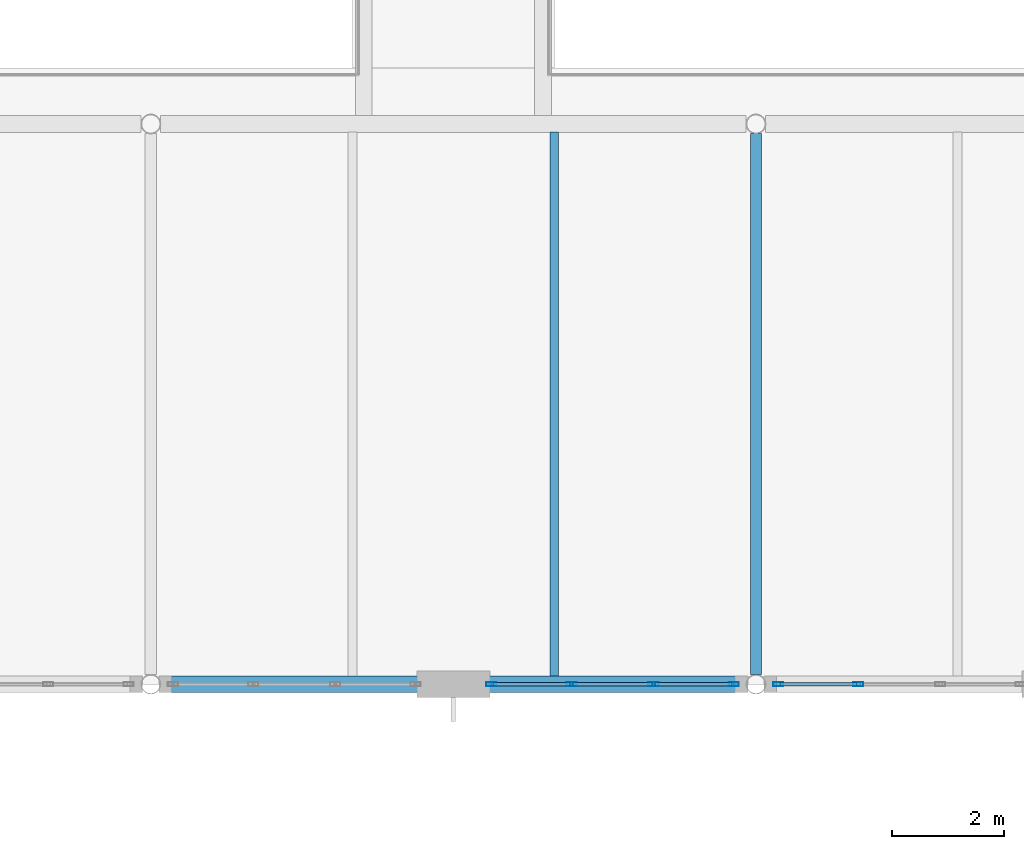
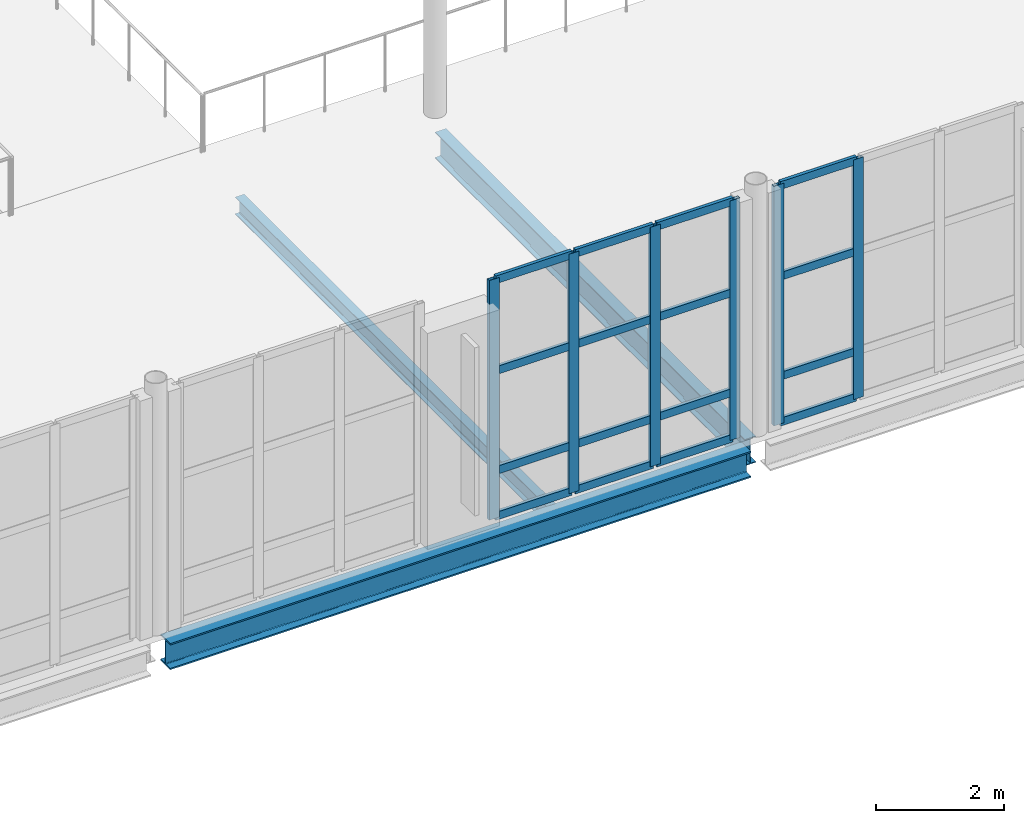
# One storey, part 30 of 100: 22 members, 3 beams, 2 elements without a shape of their own.
"""IFC4 building model written with IfcOpenShell, lengths in metres."""

from ifc_helpers import new_model, si_unit, direction, frame, origin, origin_2d, place, context, subcontext, project, spatial, hollow_rectangle, i_section, extrude, material, layer, layer_set, material_profile, profile_set, type_object, element, aggregate, save


model = new_model("IFC4")

# Units and contexts
model_context = context("Model", 3, precision=1e-05, world=origin(), true_north=direction((0.0, 1.0)))
body_context = subcontext(model_context, "Body", "Model", "MODEL_VIEW")
ifc_project = project(units=[si_unit("LENGTHUNIT", "METRE"), si_unit("AREAUNIT", "SQUARE_METRE"), si_unit("VOLUMEUNIT", "CUBIC_METRE"), si_unit("PLANEANGLEUNIT", "RADIAN"), si_unit("MASSUNIT", "GRAM", prefix="KILO")], contexts=[model_context])

# Site, building, storey
site_placement = place(None, origin())
site = spatial("IfcSite", under=ifc_project, at=site_placement, CompositionType="ELEMENT")
building_placement = place(site_placement, origin())
building = spatial("IfcBuilding", under=site, at=building_placement, Name="Tasgan Crest Museum", CompositionType="ELEMENT")
storey_placement = place(building_placement, frame((0.0, 0.0, 9.60009765625)))
storey = spatial("IfcBuildingStorey", under=building, at=storey_placement, Name="L02", CompositionType="ELEMENT", Elevation=9.60009765625)

# Beams
ifc_material_1 = material(Name="Steel S355J2", Category="steel")
ifc_material_profile_1 = material_profile(ifc_material_1, i_section(OverallWidth=0.300048828125, OverallDepth=0.5, WebThickness=0.014404296875, FlangeThickness=0.028076171875, FilletRadius=0.027099609375, at=origin_2d()), Name="HEB 500")
ifc_profile_set_1 = profile_set([ifc_material_profile_1], Name="Steel S355J2")
beam_type_1 = type_object("IfcBeamType", Name="BM-G-HEB500", PredefinedType="BEAM", material=ifc_profile_set_1)
beam_1_placement = place(storey_placement, frame((75.773681640625, 40.0, -0.489990234375), z_axis=(1.0, 0.0, 0.0), x_axis=(0.0, 1.0, 0.0)))
element("IfcBeam", 1, at=beam_1_placement, inside=storey, type_object=beam_type_1, Name="Girder L02 E 75.6-86.4", PredefinedType="BEAM", context=body_context, shape_type="SweptSolid", body=[
    extrude(i_section(OverallWidth=0.300048828125, OverallDepth=0.5, WebThickness=0.014404296875, FlangeThickness=0.028076171875, FilletRadius=0.027099609375, at=origin_2d()), origin(), (0.0, 0.0, 1.0), 10.45263671875),
])
ifc_material_2 = material(Name="Steel S355J2", Category="steel")
ifc_material_profile_2 = material_profile(ifc_material_2, i_section(OverallWidth=0.199951171875, OverallDepth=0.5, WebThickness=0.01025390625, FlangeThickness=0.01611328125, FilletRadius=0.02099609375, at=origin_2d()), Name="IPE 500")
ifc_profile_set_2 = profile_set([ifc_material_profile_2], Name="Steel S355J2")
beam_type_2 = type_object("IfcBeamType", Name="BM-G-IPE500", PredefinedType="BEAM", material=ifc_profile_set_2)
beam_2_placement = place(storey_placement, frame((86.39990234375, 40.1728515625, -0.489990234375), z_axis=(0.0, 1.0, 0.0), x_axis=(-1.0, 0.0, 0.0)))
element("IfcBeam", 2, at=beam_2_placement, inside=storey, type_object=beam_type_2, Name="Beam L02 9 40.0-50.0", PredefinedType="BEAM", context=body_context, shape_type="SweptSolid", body=[
    extrude(i_section(OverallWidth=0.199951171875, OverallDepth=0.5, WebThickness=0.01025390625, FlangeThickness=0.01611328125, FilletRadius=0.02099609375, at=origin_2d()), origin(), (0.0, 0.0, 1.0), 9.654296875),
])
ifc_material_3 = material(Name="Steel S355J2", Category="steel")
ifc_material_profile_3 = material_profile(ifc_material_3, i_section(OverallWidth=0.159912109375, OverallDepth=0.330078125, WebThickness=0.007568359375, FlangeThickness=0.011474609375, FilletRadius=0.01806640625, at=origin_2d()), Name="IPE 330")
ifc_profile_set_3 = profile_set([ifc_material_profile_3], Name="Steel S355J2")
beam_type_3 = type_object("IfcBeamType", Name="BM-J-IPE330", PredefinedType="JOIST", material=ifc_profile_set_3)
beam_3_placement = place(storey_placement, frame((82.800048828125, 40.14501953125, -0.405029296875), z_axis=(0.0, 1.0, 0.0), x_axis=(-1.0, 0.0, 0.0)))
element("IfcBeam", 3, at=beam_3_placement, inside=storey, type_object=beam_type_3, Name="Secondary joist L02 X=82.8 Y=40.0-50.0", PredefinedType="JOIST", context=body_context, shape_type="SweptSolid", body=[
    extrude(i_section(OverallWidth=0.159912109375, OverallDepth=0.330078125, WebThickness=0.007568359375, FlangeThickness=0.011474609375, FilletRadius=0.01806640625, at=origin_2d()), origin(), (0.0, 0.0, 1.0), 9.7099609375),
])

# Curtain wall, members
ifc_material_4 = material(Name="Triple-Glazed Aluminium Curtain Wall", Category="aluminium")
ifc_layer = layer(ifc_material_4, 0.179931640625, Name="CW-DRUM-X-48")
ifc_layer_set = layer_set([ifc_layer], Name="Triple-Glazed Aluminium Curtain Wall")
curtain_wall_type = type_object("IfcCurtainWallType", Name="CW-DRUM-X-48", PredefinedType="NOTDEFINED", material=ifc_layer_set)
curtain_wall_1_placement = place(storey_placement, origin())
curtain_wall_1 = element("IfcCurtainWall", 4, at=curtain_wall_1_placement, inside=storey, type_object=curtain_wall_type, Name="Curtain wall L02 106", PredefinedType="NOTDEFINED")
ifc_material_5 = material(Name="Anodised Aluminium", Category="aluminium")
ifc_material_profile_4 = material_profile(ifc_material_5, hollow_rectangle(XDim=0.06494140625, YDim=0.179931640625, WallThickness=0.0048828125, at=origin_2d()), Name="ALU MULLION 180x65x5")
ifc_profile_set_4 = profile_set([ifc_material_profile_4], Name="Anodised Aluminium")
member_type_1 = type_object("IfcMemberType", Name="CW-MULLION-180", PredefinedType="MULLION", material=ifc_profile_set_4)
member_1_placement = place(storey_placement, frame((81.675048828125, 40.0, 0.0), z_axis=(0.0, 0.0, 1.0), x_axis=(0.0, 1.0, 0.0)))
member_1 = element("IfcMember", 5, at=member_1_placement, type_object=member_type_1, Name="CW03 mullion 1", PredefinedType="MULLION", context=body_context, shape_type="SweptSolid", body=[
    extrude(hollow_rectangle(XDim=0.06494140625, YDim=0.179931640625, WallThickness=0.0048828125, at=origin_2d()), origin(), (0.0, 0.0, 1.0), 4.559814453125),
])
member_2_placement = place(storey_placement, frame((83.1083984375, 40.0, 0.0), z_axis=(0.0, 0.0, 1.0), x_axis=(0.0, 1.0, 0.0)))
member_2 = element("IfcMember", 6, at=member_2_placement, type_object=member_type_1, Name="CW03 mullion 2", PredefinedType="MULLION", context=body_context, shape_type="SweptSolid", body=[
    extrude(hollow_rectangle(XDim=0.06494140625, YDim=0.179931640625, WallThickness=0.0048828125, at=origin_2d()), origin(), (0.0, 0.0, 1.0), 4.559814453125),
])
member_3_placement = place(storey_placement, frame((84.57177734375, 40.0, 0.0), z_axis=(0.0, 0.0, 1.0), x_axis=(0.0, 1.0, 0.0)))
member_3 = element("IfcMember", 7, at=member_3_placement, type_object=member_type_1, Name="CW03 mullion 3", PredefinedType="MULLION", context=body_context, shape_type="SweptSolid", body=[
    extrude(hollow_rectangle(XDim=0.06494140625, YDim=0.179931640625, WallThickness=0.0048828125, at=origin_2d()), origin(), (0.0, 0.0, 1.0), 4.559814453125),
])
member_4_placement = place(storey_placement, frame((86.0048828125, 40.0, 0.0), z_axis=(0.0, 0.0, 1.0), x_axis=(0.0, 1.0, 0.0)))
member_4 = element("IfcMember", 8, at=member_4_placement, type_object=member_type_1, Name="CW03 mullion 4", PredefinedType="MULLION", context=body_context, shape_type="SweptSolid", body=[
    extrude(hollow_rectangle(XDim=0.06494140625, YDim=0.179931640625, WallThickness=0.0048828125, at=origin_2d()), origin(), (0.0, 0.0, 1.0), 4.559814453125),
])

curtain_wall_2_placement = place(storey_placement, origin())
curtain_wall_2 = element("IfcCurtainWall", 9, at=curtain_wall_2_placement, inside=storey, type_object=curtain_wall_type, Name="Curtain wall L02 107", PredefinedType="NOTDEFINED")
member_5_placement = place(storey_placement, frame((86.794921875, 40.0, 0.0), z_axis=(0.0, 0.0, 1.0), x_axis=(0.0, 1.0, 0.0)))
member_5 = element("IfcMember", 10, at=member_5_placement, type_object=member_type_1, Name="CW03 mullion 1", PredefinedType="MULLION", context=body_context, shape_type="SweptSolid", body=[
    extrude(hollow_rectangle(XDim=0.06494140625, YDim=0.179931640625, WallThickness=0.0048828125, at=origin_2d()), origin(), (0.0, 0.0, 1.0), 4.559814453125),
])
member_6_placement = place(storey_placement, frame((88.228271484375, 40.0, 0.0), z_axis=(0.0, 0.0, 1.0), x_axis=(0.0, 1.0, 0.0)))
member_6 = element("IfcMember", 11, at=member_6_placement, type_object=member_type_1, Name="CW03 mullion 2", PredefinedType="MULLION", context=body_context, shape_type="SweptSolid", body=[
    extrude(hollow_rectangle(XDim=0.06494140625, YDim=0.179931640625, WallThickness=0.0048828125, at=origin_2d()), origin(), (0.0, 0.0, 1.0), 4.559814453125),
])

# Member
ifc_material_6 = material(Name="Anodised Aluminium", Category="aluminium")
ifc_material_profile_5 = material_profile(ifc_material_6, hollow_rectangle(XDim=0.06005859375, YDim=0.14990234375, WallThickness=0.0048828125, at=origin_2d()), Name="ALU TRANSOM 150x60x5")
ifc_profile_set_5 = profile_set([ifc_material_profile_5], Name="Anodised Aluminium")
member_type_2 = type_object("IfcMemberType", Name="CW-TRANSOM-150", PredefinedType="USERDEFINED", material=ifc_profile_set_5)
member_7_placement = place(storey_placement, frame((81.705078125, 40.0, 0.02978515625), z_axis=(1.0, 0.0, 0.0), x_axis=(0.0, 1.0, 0.0)))
member_7 = element("IfcMember", 12, at=member_7_placement, type_object=member_type_2, Name="CW03 transom 1.1", ObjectType="TRANSOM", PredefinedType="USERDEFINED", context=body_context, shape_type="SweptSolid", body=[
    extrude(hollow_rectangle(XDim=0.06005859375, YDim=0.14990234375, WallThickness=0.0048828125, at=origin_2d()), origin(), (0.0, 0.0, 1.0), 1.373291015625),
])

member_8_placement = place(storey_placement, frame((81.705078125, 40.0, 0.89990234375), z_axis=(1.0, 0.0, 0.0), x_axis=(0.0, 1.0, 0.0)))
member_8 = element("IfcMember", 13, at=member_8_placement, type_object=member_type_2, Name="CW03 transom 1.2", ObjectType="TRANSOM", PredefinedType="USERDEFINED", context=body_context, shape_type="SweptSolid", body=[
    extrude(hollow_rectangle(XDim=0.06005859375, YDim=0.14990234375, WallThickness=0.0048828125, at=origin_2d()), origin(), (0.0, 0.0, 1.0), 1.373291015625),
])

member_9_placement = place(storey_placement, frame((81.705078125, 40.0, 2.7998046875), z_axis=(1.0, 0.0, 0.0), x_axis=(0.0, 1.0, 0.0)))
member_9 = element("IfcMember", 14, at=member_9_placement, type_object=member_type_2, Name="CW03 transom 1.3", ObjectType="TRANSOM", PredefinedType="USERDEFINED", context=body_context, shape_type="SweptSolid", body=[
    extrude(hollow_rectangle(XDim=0.06005859375, YDim=0.14990234375, WallThickness=0.0048828125, at=origin_2d()), origin(), (0.0, 0.0, 1.0), 1.373291015625),
])

member_10_placement = place(storey_placement, frame((81.705078125, 40.0, 4.52978515625), z_axis=(1.0, 0.0, 0.0), x_axis=(0.0, 1.0, 0.0)))
member_10 = element("IfcMember", 15, at=member_10_placement, type_object=member_type_2, Name="CW03 transom 1.4", ObjectType="TRANSOM", PredefinedType="USERDEFINED", context=body_context, shape_type="SweptSolid", body=[
    extrude(hollow_rectangle(XDim=0.06005859375, YDim=0.14990234375, WallThickness=0.0048828125, at=origin_2d()), origin(), (0.0, 0.0, 1.0), 1.373291015625),
])

member_11_placement = place(storey_placement, frame((83.138427734375, 40.0, 0.02978515625), z_axis=(1.0, 0.0, 0.0), x_axis=(0.0, 1.0, 0.0)))
member_11 = element("IfcMember", 16, at=member_11_placement, type_object=member_type_2, Name="CW03 transom 2.1", ObjectType="TRANSOM", PredefinedType="USERDEFINED", context=body_context, shape_type="SweptSolid", body=[
    extrude(hollow_rectangle(XDim=0.06005859375, YDim=0.14990234375, WallThickness=0.0048828125, at=origin_2d()), origin(), (0.0, 0.0, 1.0), 1.4033203125),
])

member_12_placement = place(storey_placement, frame((83.138427734375, 40.0, 0.89990234375), z_axis=(1.0, 0.0, 0.0), x_axis=(0.0, 1.0, 0.0)))
member_12 = element("IfcMember", 17, at=member_12_placement, type_object=member_type_2, Name="CW03 transom 2.2", ObjectType="TRANSOM", PredefinedType="USERDEFINED", context=body_context, shape_type="SweptSolid", body=[
    extrude(hollow_rectangle(XDim=0.06005859375, YDim=0.14990234375, WallThickness=0.0048828125, at=origin_2d()), origin(), (0.0, 0.0, 1.0), 1.4033203125),
])

member_13_placement = place(storey_placement, frame((83.138427734375, 40.0, 2.7998046875), z_axis=(1.0, 0.0, 0.0), x_axis=(0.0, 1.0, 0.0)))
member_13 = element("IfcMember", 18, at=member_13_placement, type_object=member_type_2, Name="CW03 transom 2.3", ObjectType="TRANSOM", PredefinedType="USERDEFINED", context=body_context, shape_type="SweptSolid", body=[
    extrude(hollow_rectangle(XDim=0.06005859375, YDim=0.14990234375, WallThickness=0.0048828125, at=origin_2d()), origin(), (0.0, 0.0, 1.0), 1.4033203125),
])

member_14_placement = place(storey_placement, frame((83.138427734375, 40.0, 4.52978515625), z_axis=(1.0, 0.0, 0.0), x_axis=(0.0, 1.0, 0.0)))
member_14 = element("IfcMember", 19, at=member_14_placement, type_object=member_type_2, Name="CW03 transom 2.4", ObjectType="TRANSOM", PredefinedType="USERDEFINED", context=body_context, shape_type="SweptSolid", body=[
    extrude(hollow_rectangle(XDim=0.06005859375, YDim=0.14990234375, WallThickness=0.0048828125, at=origin_2d()), origin(), (0.0, 0.0, 1.0), 1.4033203125),
])

member_15_placement = place(storey_placement, frame((84.6015625, 40.0, 0.02978515625), z_axis=(1.0, 0.0, 0.0), x_axis=(0.0, 1.0, 0.0)))
member_15 = element("IfcMember", 20, at=member_15_placement, type_object=member_type_2, Name="CW03 transom 3.1", ObjectType="TRANSOM", PredefinedType="USERDEFINED", context=body_context, shape_type="SweptSolid", body=[
    extrude(hollow_rectangle(XDim=0.06005859375, YDim=0.14990234375, WallThickness=0.0048828125, at=origin_2d()), origin(), (0.0, 0.0, 1.0), 1.37353515625),
])

member_16_placement = place(storey_placement, frame((84.6015625, 40.0, 0.89990234375), z_axis=(1.0, 0.0, 0.0), x_axis=(0.0, 1.0, 0.0)))
member_16 = element("IfcMember", 21, at=member_16_placement, type_object=member_type_2, Name="CW03 transom 3.2", ObjectType="TRANSOM", PredefinedType="USERDEFINED", context=body_context, shape_type="SweptSolid", body=[
    extrude(hollow_rectangle(XDim=0.06005859375, YDim=0.14990234375, WallThickness=0.0048828125, at=origin_2d()), origin(), (0.0, 0.0, 1.0), 1.37353515625),
])

member_17_placement = place(storey_placement, frame((84.6015625, 40.0, 2.7998046875), z_axis=(1.0, 0.0, 0.0), x_axis=(0.0, 1.0, 0.0)))
member_17 = element("IfcMember", 22, at=member_17_placement, type_object=member_type_2, Name="CW03 transom 3.3", ObjectType="TRANSOM", PredefinedType="USERDEFINED", context=body_context, shape_type="SweptSolid", body=[
    extrude(hollow_rectangle(XDim=0.06005859375, YDim=0.14990234375, WallThickness=0.0048828125, at=origin_2d()), origin(), (0.0, 0.0, 1.0), 1.37353515625),
])

member_18_placement = place(storey_placement, frame((84.6015625, 40.0, 4.52978515625), z_axis=(1.0, 0.0, 0.0), x_axis=(0.0, 1.0, 0.0)))
member_18 = element("IfcMember", 23, at=member_18_placement, type_object=member_type_2, Name="CW03 transom 3.4", ObjectType="TRANSOM", PredefinedType="USERDEFINED", context=body_context, shape_type="SweptSolid", body=[
    extrude(hollow_rectangle(XDim=0.06005859375, YDim=0.14990234375, WallThickness=0.0048828125, at=origin_2d()), origin(), (0.0, 0.0, 1.0), 1.37353515625),
])

aggregate(curtain_wall_1, [member_1, member_2, member_3, member_4, member_7, member_8, member_9, member_10, member_11, member_12, member_13, member_14, member_15, member_16, member_17, member_18])

member_19_placement = place(storey_placement, frame((86.824951171875, 40.0, 0.02978515625), z_axis=(1.0, 0.0, 0.0), x_axis=(0.0, 1.0, 0.0)))
member_19 = element("IfcMember", 24, at=member_19_placement, type_object=member_type_2, Name="CW03 transom 1.1", ObjectType="TRANSOM", PredefinedType="USERDEFINED", context=body_context, shape_type="SweptSolid", body=[
    extrude(hollow_rectangle(XDim=0.06005859375, YDim=0.14990234375, WallThickness=0.0048828125, at=origin_2d()), origin(), (0.0, 0.0, 1.0), 1.373291015625),
])

member_20_placement = place(storey_placement, frame((86.824951171875, 40.0, 0.89990234375), z_axis=(1.0, 0.0, 0.0), x_axis=(0.0, 1.0, 0.0)))
member_20 = element("IfcMember", 25, at=member_20_placement, type_object=member_type_2, Name="CW03 transom 1.2", ObjectType="TRANSOM", PredefinedType="USERDEFINED", context=body_context, shape_type="SweptSolid", body=[
    extrude(hollow_rectangle(XDim=0.06005859375, YDim=0.14990234375, WallThickness=0.0048828125, at=origin_2d()), origin(), (0.0, 0.0, 1.0), 1.373291015625),
])

member_21_placement = place(storey_placement, frame((86.824951171875, 40.0, 2.7998046875), z_axis=(1.0, 0.0, 0.0), x_axis=(0.0, 1.0, 0.0)))
member_21 = element("IfcMember", 26, at=member_21_placement, type_object=member_type_2, Name="CW03 transom 1.3", ObjectType="TRANSOM", PredefinedType="USERDEFINED", context=body_context, shape_type="SweptSolid", body=[
    extrude(hollow_rectangle(XDim=0.06005859375, YDim=0.14990234375, WallThickness=0.0048828125, at=origin_2d()), origin(), (0.0, 0.0, 1.0), 1.373291015625),
])

member_22_placement = place(storey_placement, frame((86.824951171875, 40.0, 4.52978515625), z_axis=(1.0, 0.0, 0.0), x_axis=(0.0, 1.0, 0.0)))
member_22 = element("IfcMember", 27, at=member_22_placement, type_object=member_type_2, Name="CW03 transom 1.4", ObjectType="TRANSOM", PredefinedType="USERDEFINED", context=body_context, shape_type="SweptSolid", body=[
    extrude(hollow_rectangle(XDim=0.06005859375, YDim=0.14990234375, WallThickness=0.0048828125, at=origin_2d()), origin(), (0.0, 0.0, 1.0), 1.373291015625),
])

aggregate(curtain_wall_2, [member_5, member_6, member_19, member_20, member_21, member_22])

save(model, "model.ifc")
